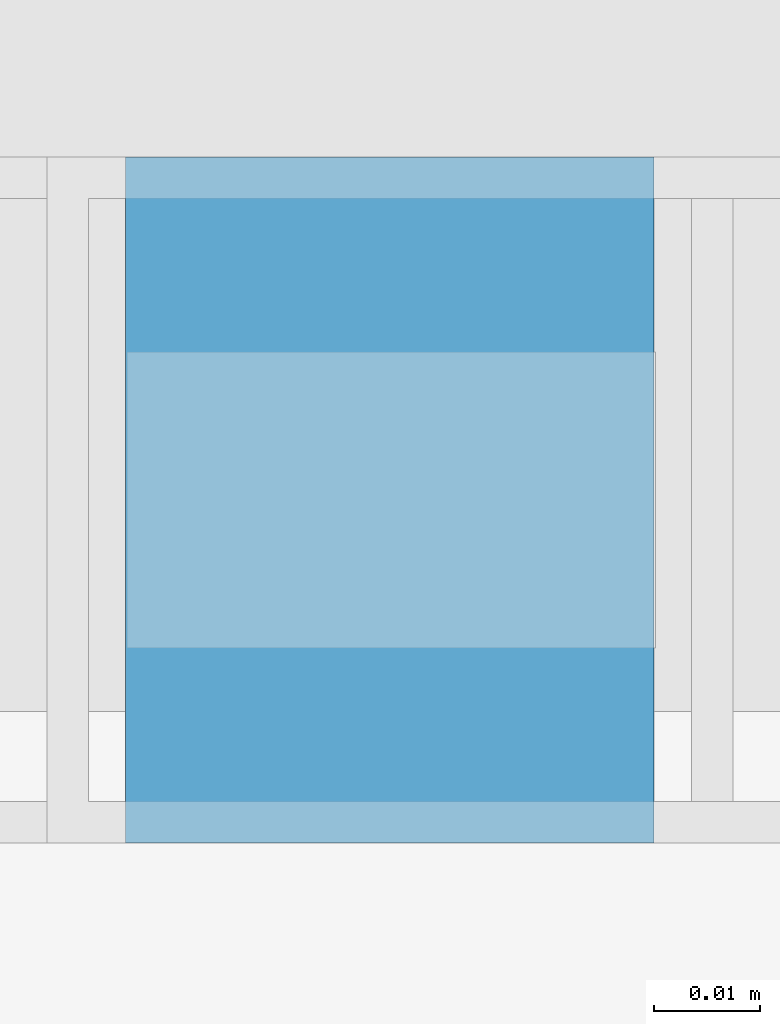
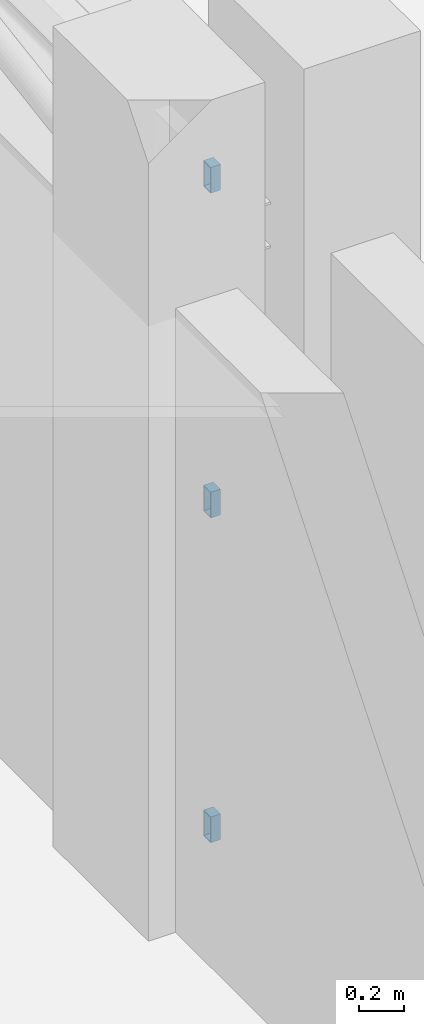
# One storey, part 78 of 137: 3 members, 1 element without a shape of its own.
"""IFC4 building model written with IfcOpenShell, lengths in metres."""

from ifc_helpers import new_model, si_unit, direction, frame, origin, origin_2d, place, context, subcontext, project, spatial, hollow_rectangle, extrude, material, layer, layer_set, material_profile, profile_set, type_object, element, aggregate, save


model = new_model("IFC4")

# Units and contexts
model_context = context("Model", 3, precision=1e-05, world=origin(), true_north=direction((0.0, 1.0)))
body_context = subcontext(model_context, "Body", "Model", "MODEL_VIEW")
ifc_project = project(units=[si_unit("LENGTHUNIT", "METRE"), si_unit("AREAUNIT", "SQUARE_METRE"), si_unit("VOLUMEUNIT", "CUBIC_METRE"), si_unit("PLANEANGLEUNIT", "RADIAN"), si_unit("MASSUNIT", "GRAM", prefix="KILO")], contexts=[model_context])

# Site, building, storey
site_placement = place(None, origin())
site = spatial("IfcSite", under=ifc_project, at=site_placement, CompositionType="ELEMENT")
building_placement = place(site_placement, origin())
building = spatial("IfcBuilding", under=site, at=building_placement, Name="Xazarin Passage Department Store", CompositionType="ELEMENT")
storey_placement = place(building_placement, frame((0.0, 0.0, 5.39990234375)))
storey = spatial("IfcBuildingStorey", under=building, at=storey_placement, Name="L01", CompositionType="ELEMENT", Elevation=5.39990234375)

# Curtain wall, members
ifc_material = material(Name="Bronze anodised aluminium", Category="aluminium")
ifc_layer = layer(ifc_material, 0.14990234375)
ifc_layer_set = layer_set([ifc_layer], Name="Bronze anodised aluminium")
curtain_wall_type = type_object("IfcCurtainWallType", Name="ARC-CW-BRG1", PredefinedType="NOTDEFINED", material=ifc_layer_set)
curtain_wall_placement = place(storey_placement, origin())
curtain_wall = element("IfcCurtainWall", 1, at=curtain_wall_placement, inside=storey, type_object=curtain_wall_type, Name="L01 BR-V2S-V3 Bridge Curtain Wall 1", PredefinedType="NOTDEFINED")
ifc_material_profile = material_profile(ifc_material, hollow_rectangle(XDim=0.06494140625, YDim=0.139892578125, WallThickness=0.00390625, at=origin_2d()), Name="ALU 65x140")
ifc_profile_set = profile_set([ifc_material_profile], Name="Bronze anodised aluminium")
member_type = type_object("IfcMemberType", Name="ARC-CWT-65x140", PredefinedType="USERDEFINED", material=ifc_profile_set)
member_1_placement = place(storey_placement, frame((67.574951171875, 25.419921875, 0.03271484375), z_axis=(1.0, 0.0, 0.0), x_axis=(0.0, 1.0, 0.0)))
member_1 = element("IfcMember", 2, at=member_1_placement, type_object=member_type, Name="CW7 transom 1.1", ObjectType="TRANSOM", PredefinedType="USERDEFINED", context=body_context, shape_type="SweptSolid", body=[
    extrude(hollow_rectangle(XDim=0.06494140625, YDim=0.139892578125, WallThickness=0.00390625, at=origin_2d()), origin(), (0.0, 0.0, 1.0), 0.050048828125),
])
member_2_placement = place(storey_placement, frame((67.574951171875, 25.419921875, 1.800048828125), z_axis=(1.0, 0.0, 0.0), x_axis=(0.0, 1.0, 0.0)))
member_2 = element("IfcMember", 3, at=member_2_placement, type_object=member_type, Name="CW7 transom 1.2", ObjectType="TRANSOM", PredefinedType="USERDEFINED", context=body_context, shape_type="SweptSolid", body=[
    extrude(hollow_rectangle(XDim=0.06494140625, YDim=0.139892578125, WallThickness=0.00390625, at=origin_2d()), origin(), (0.0, 0.0, 1.0), 0.050048828125),
])
member_3_placement = place(storey_placement, frame((67.574951171875, 25.419921875, 3.567626953125), z_axis=(1.0, 0.0, 0.0), x_axis=(0.0, 1.0, 0.0)))
member_3 = element("IfcMember", 4, at=member_3_placement, type_object=member_type, Name="CW7 transom 1.3", ObjectType="TRANSOM", PredefinedType="USERDEFINED", context=body_context, shape_type="SweptSolid", body=[
    extrude(hollow_rectangle(XDim=0.06494140625, YDim=0.139892578125, WallThickness=0.00390625, at=origin_2d()), origin(), (0.0, 0.0, 1.0), 0.050048828125),
])
aggregate(curtain_wall, [member_1, member_2, member_3])

save(model, "model.ifc")
